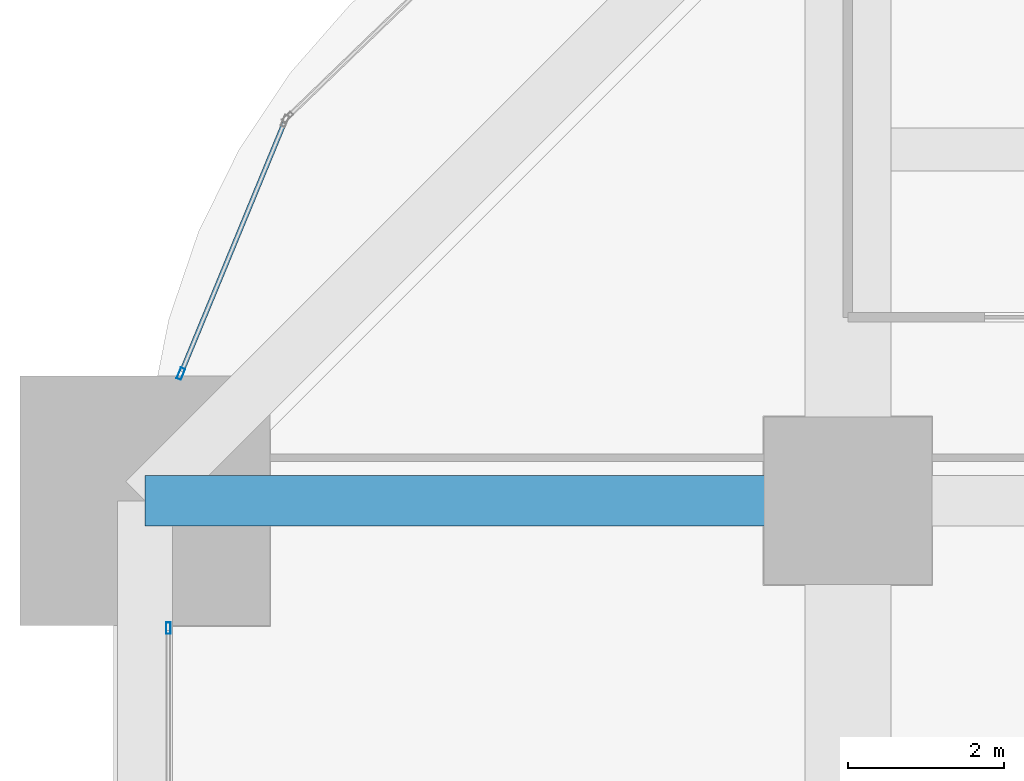
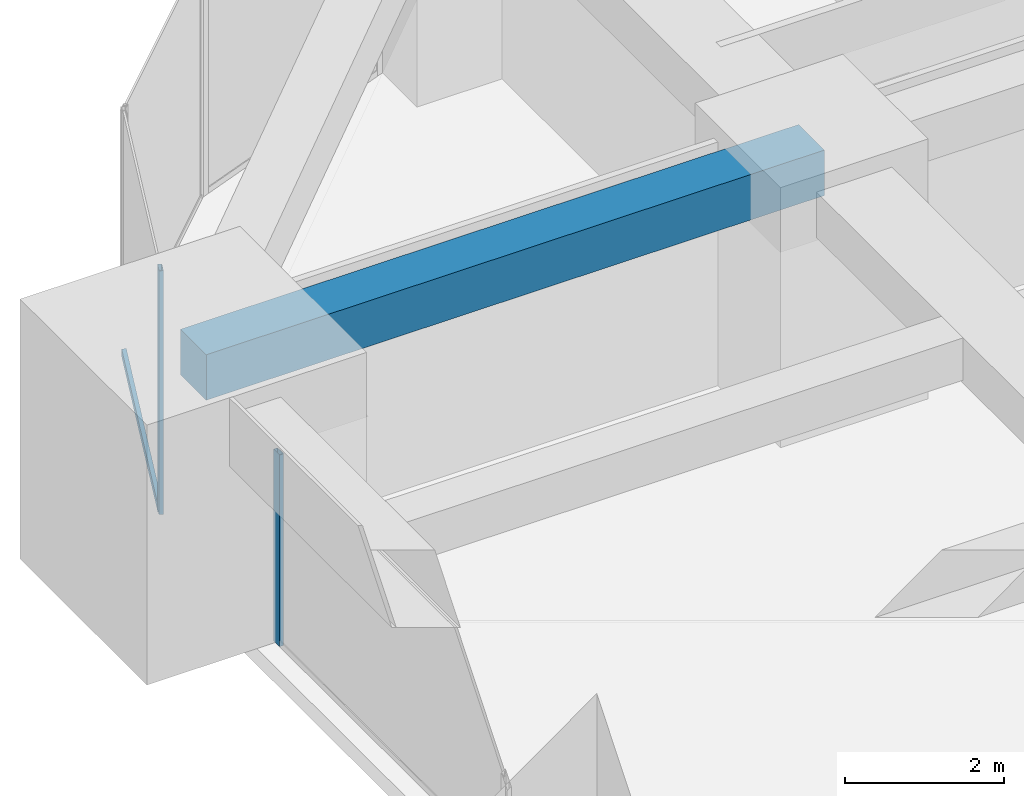
# One storey, part 24 of 41: 3 members, 1 beam, 2 elements without a shape of their own.
"""IFC4 building model written with IfcOpenShell, lengths in metres."""

from ifc_helpers import new_model, si_unit, direction, frame, origin, origin_2d, place, context, subcontext, project, spatial, rectangle, hollow_rectangle, extrude, material, material_profile, profile_set, type_object, element, aggregate, save


model = new_model("IFC4")

# Units and contexts
model_context = context("Model", 3, precision=1e-05, world=origin(), true_north=direction((0.0, 1.0)))
body_context = subcontext(model_context, "Body", "Model", "MODEL_VIEW")
ifc_project = project(units=[si_unit("LENGTHUNIT", "METRE"), si_unit("AREAUNIT", "SQUARE_METRE"), si_unit("VOLUMEUNIT", "CUBIC_METRE"), si_unit("PLANEANGLEUNIT", "RADIAN"), si_unit("MASSUNIT", "GRAM", prefix="KILO")], contexts=[model_context])

# Site, building, storey
site_placement = place(None, origin())
site = spatial("IfcSite", under=ifc_project, at=site_placement, CompositionType="ELEMENT")
building_placement = place(site_placement, origin())
building = spatial("IfcBuilding", under=site, at=building_placement, Name="Zorevar Civic Tower", CompositionType="ELEMENT")
storey_placement = place(building_placement, frame((0.0, 0.0, 89.0)))
storey = spatial("IfcBuildingStorey", under=building, at=storey_placement, Name="L21", CompositionType="ELEMENT", Elevation=89.0)

# Beam
ifc_material_1 = material(Name="Concrete C50/60", Category="concrete")
ifc_material_profile_1 = material_profile(ifc_material_1, rectangle(XDim=0.64990234375, YDim=0.699951171875, at=origin_2d()), Name="RC 650x700")
ifc_profile_set_1 = profile_set([ifc_material_profile_1], Name="Concrete C50/60")
beam_type = type_object("IfcBeamType", Name="Beam RC 650x700", PredefinedType="BEAM", material=ifc_profile_set_1)
beam_placement = place(storey_placement, frame((0.0, 36.0, 3.39990234375), z_axis=(1.0, 0.0, 0.0), x_axis=(0.0, 1.0, 0.0)))
element("IfcBeam", 1, at=beam_placement, inside=storey, type_object=beam_type, Name="Girder L22", PredefinedType="BEAM", context=body_context, shape_type="SweptSolid", body=[
    extrude(rectangle(XDim=0.64990234375, YDim=0.699951171875, at=origin_2d()), origin(), (0.0, 0.0, 1.0), 9.0),
])

# Curtain wall, member
ifc_material_2 = material(Name="Dark grey solar-control glass in black aluminium frame", Category="aluminium")
curtain_wall_type = type_object("IfcCurtainWallType", Name="Curtain wall CW3 mid zone", PredefinedType="NOTDEFINED", material=ifc_material_2)
curtain_wall_1_placement = place(storey_placement, origin())
curtain_wall_1 = element("IfcCurtainWall", 2, at=curtain_wall_1_placement, inside=storey, type_object=curtain_wall_type, Name="CW3 L21", PredefinedType="NOTDEFINED")
ifc_material_3 = material(Name="Aluminium, black anodised", Category="aluminium")
ifc_material_profile_2 = material_profile(ifc_material_3, hollow_rectangle(XDim=0.06005859375, YDim=0.14990234375, WallThickness=0.00390625, at=origin_2d()), Name="AL 150x60x4")
ifc_profile_set_2 = profile_set([ifc_material_profile_2], Name="Aluminium, black anodised")
member_type_1 = type_object("IfcMemberType", Name="CW3 mullion AL 150x60x4", PredefinedType="MULLION", material=ifc_profile_set_2)
member_1_placement = place(storey_placement, frame((0.300048828125, 34.3701171875, 0.0), z_axis=(0.0, 0.0, 1.0), x_axis=(-1.0, 0.0, 0.0)))
member_1 = element("IfcMember", 3, at=member_1_placement, type_object=member_type_1, Name="CW3 mullion 2", PredefinedType="MULLION", context=body_context, shape_type="SweptSolid", body=[
    extrude(hollow_rectangle(XDim=0.06005859375, YDim=0.14990234375, WallThickness=0.00390625, at=origin_2d()), origin(), (0.0, 0.0, 1.0), 2.949951171875),
])
aggregate(curtain_wall_1, [member_1])

# Curtain wall, members
curtain_wall_2_placement = place(storey_placement, origin())
curtain_wall_2 = element("IfcCurtainWall", 4, at=curtain_wall_2_placement, inside=storey, type_object=curtain_wall_type, Name="CW3 L21", PredefinedType="NOTDEFINED")
member_2_placement = place(storey_placement, frame((0.4599609375, 37.627685546875, 0.0), z_axis=(0.0, 0.0, 1.0), x_axis=(0.924549780803, -0.381061284858, 0.0)))
member_2 = element("IfcMember", 5, at=member_2_placement, type_object=member_type_1, Name="CW3 mullion 2", PredefinedType="MULLION", context=body_context, shape_type="SweptSolid", body=[
    extrude(hollow_rectangle(XDim=0.06005859375, YDim=0.14990234375, WallThickness=0.00390625, at=origin_2d()), origin(), (0.0, 0.0, 1.0), 3.75),
])
ifc_material_4 = material(Name="Aluminium, black anodised", Category="aluminium")
ifc_material_profile_3 = material_profile(ifc_material_4, hollow_rectangle(XDim=0.06005859375, YDim=0.1201171875, WallThickness=0.0029296875, at=origin_2d()), Name="AL 120x60x3")
ifc_profile_set_3 = profile_set([ifc_material_profile_3], Name="Aluminium, black anodised")
member_type_2 = type_object("IfcMemberType", Name="CW3 transom AL 120x60x3", PredefinedType="USERDEFINED", material=ifc_profile_set_3)
member_3_placement = place(storey_placement, frame((1.78173828125, 40.834716796875, 0.030029296875), z_axis=(-0.381114004945, -0.924528049999, 0.0), x_axis=(0.924528049999, -0.381114004945, 0.0)))
member_3 = element("IfcMember", 6, at=member_3_placement, type_object=member_type_2, Name="CW3 sill transom", ObjectType="TRANSOM", PredefinedType="USERDEFINED", context=body_context, shape_type="SweptSolid", body=[
    extrude(hollow_rectangle(XDim=0.06005859375, YDim=0.1201171875, WallThickness=0.0029296875, at=origin_2d()), origin(), (0.0, 0.0, 1.0), 3.438720703125),
])
aggregate(curtain_wall_2, [member_2, member_3])

save(model, "model.ifc")
